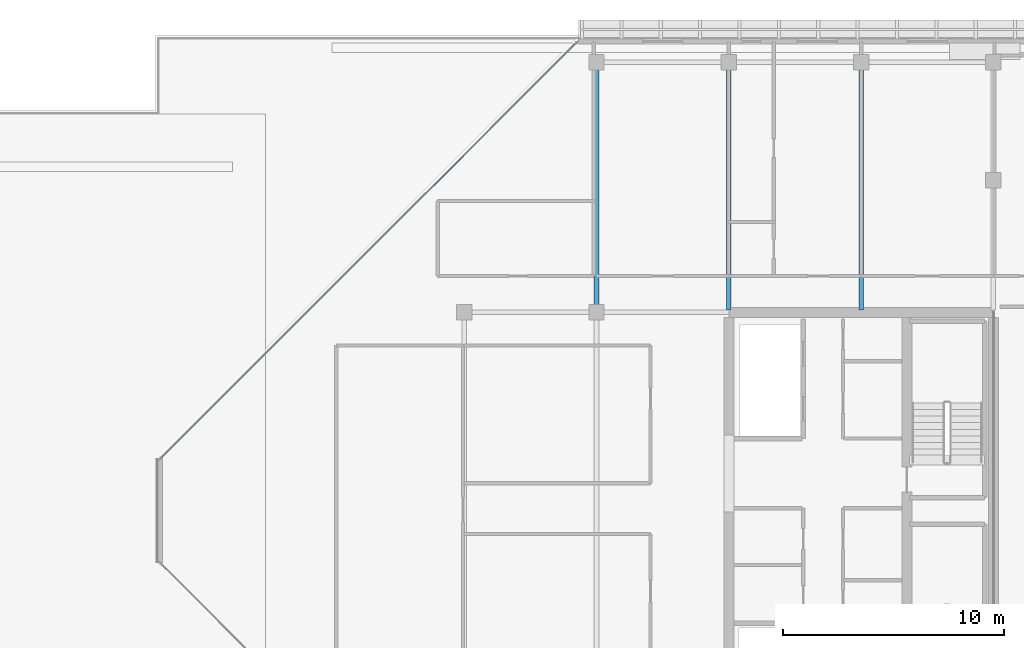
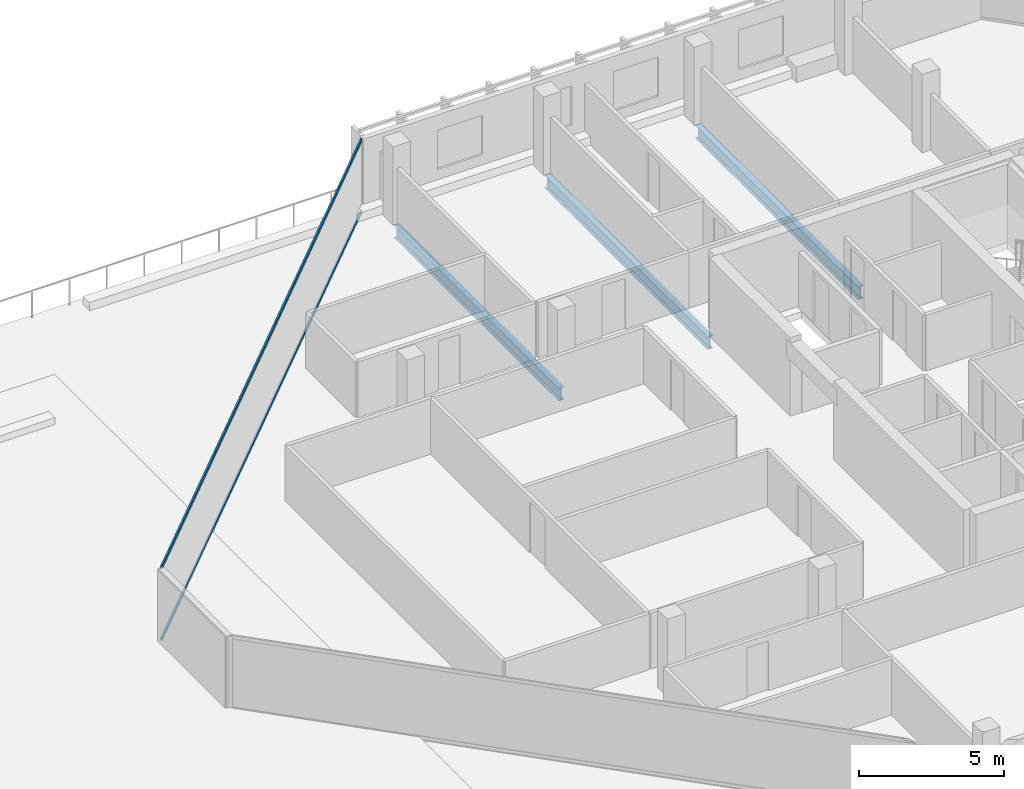
# One storey, part 13 of 30: 3 beams, 2 members, 1 element without a shape of its own.
"""IFC4 building model written with IfcOpenShell, lengths in metres."""

from ifc_helpers import new_model, si_unit, direction, frame, origin, origin_2d, place, context, subcontext, project, spatial, hollow_rectangle, i_section, extrude, material, layer, layer_set, material_profile, profile_set, type_object, element, aggregate, save


model = new_model("IFC4")

# Units and contexts
model_context = context("Model", 3, precision=1e-05, world=origin(), true_north=direction((0.0, 1.0)))
body_context = subcontext(model_context, "Body", "Model", "MODEL_VIEW")
ifc_project = project(units=[si_unit("LENGTHUNIT", "METRE"), si_unit("AREAUNIT", "SQUARE_METRE"), si_unit("VOLUMEUNIT", "CUBIC_METRE"), si_unit("PLANEANGLEUNIT", "RADIAN"), si_unit("MASSUNIT", "GRAM", prefix="KILO")], contexts=[model_context])

# Site, building, storey
site_placement = place(None, origin())
site = spatial("IfcSite", under=ifc_project, at=site_placement, CompositionType="ELEMENT")
building_placement = place(site_placement, origin())
building = spatial("IfcBuilding", under=site, at=building_placement, Name="Tanjung Sevakor Pilgrim Tower", CompositionType="ELEMENT")
storey_placement = place(building_placement, frame((0.0, 0.0, 229.35009765625)))
storey = spatial("IfcBuildingStorey", under=building, at=storey_placement, Name="L64", CompositionType="ELEMENT", Elevation=229.35009765625)

# Beams
ifc_material_1 = material(Name="Steel S355J2", Category="steel")
ifc_material_profile_1 = material_profile(ifc_material_1, i_section(OverallWidth=0.210693359375, OverallDepth=0.53955078125, WebThickness=0.01171875, FlangeThickness=0.018798828125, FilletRadius=0.0126953125, at=origin_2d()))
ifc_profile_set_1 = profile_set([ifc_material_profile_1], Name="Steel S355J2")
beam_type = type_object("IfcBeamType", Name="BM-B-G6-UB_533x210x109", PredefinedType="BEAM", material=ifc_profile_set_1)
beam_placement = place(storey_placement, frame((72.0, 42.60009765625, -0.5498046875), z_axis=(0.0, 1.0, 0.0), x_axis=(-1.0, 0.0, 0.0)))
element("IfcBeam", 1, at=beam_placement, inside=storey, type_object=beam_type, Name="L64 EAST Girder 004", PredefinedType="BEAM", context=body_context, shape_type="SweptSolid", body=[
    extrude(i_section(OverallWidth=0.210693359375, OverallDepth=0.53955078125, WebThickness=0.01171875, FlangeThickness=0.018798828125, FilletRadius=0.0126953125, at=origin_2d()), origin(), (0.0, 0.0, 1.0), 11.349853515625),
])
for number, where, z_axis, x_axis, name in (
    (2, (78.0, 42.7060546875, -0.5498046875), (0.0, 1.0, 0.0), (-1.0, 0.0, 0.0), "L64 EAST Girder 006"),
    (3, (84.0, 42.7060546875, -0.5498046875), (0.0, 1.0, 0.0), (-1.0, 0.0, 0.0), "L64 EAST Girder 008"),
):
    element("IfcBeam", number, at=place(storey_placement, frame(where, z_axis=z_axis, x_axis=x_axis)), inside=storey, type_object=beam_type, Name=name, PredefinedType="BEAM", context=body_context, shape_type="SweptSolid", body=[
        extrude(i_section(OverallWidth=0.210693359375, OverallDepth=0.53955078125, WebThickness=0.01171875, FlangeThickness=0.018798828125, FilletRadius=0.0126953125, at=origin_2d()), origin(), (0.0, 0.0, 1.0), 11.243896484375),
    ])

# Curtain wall, members
ifc_material_2 = material(Name="Aluminium 6063-T6 and Low-E Glass", Category="aluminium")
ifc_layer = layer(ifc_material_2, 0.179931640625)
ifc_layer_set = layer_set([ifc_layer], Name="CW-SYS-CHAM")
curtain_wall_type = type_object("IfcCurtainWallType", Name="CW-SYS-CHAM", PredefinedType="NOTDEFINED", material=ifc_layer_set)
curtain_wall_placement = place(storey_placement, origin())
curtain_wall = element("IfcCurtainWall", 4, at=curtain_wall_placement, inside=storey, type_object=curtain_wall_type, Name="L64 Curtain Wall CW-CHM-L64-EAST-5", PredefinedType="NOTDEFINED")
ifc_material_3 = material(Name="Aluminium 6063-T6", Category="aluminium")
ifc_material_profile_2 = material_profile(ifc_material_3, hollow_rectangle(XDim=0.06494140625, YDim=0.139892578125, WallThickness=0.00390625, at=origin_2d()))
ifc_profile_set_2 = profile_set([ifc_material_profile_2], Name="Aluminium 6063-T6")
member_type = type_object("IfcMemberType", Name="TYPE-CWT-1", PredefinedType="USERDEFINED", material=ifc_profile_set_2)
member_1_placement = place(storey_placement, frame((71.099609375, 54.843994140625, 0.032470703125), z_axis=(-0.707106781187, -0.707106781187, 0.0), x_axis=(0.707106781187, -0.707106781187, 0.0)))
member_1 = element("IfcMember", 5, at=member_1_placement, type_object=member_type, Name="CW-CHM transom 1.1", ObjectType="TRANSOM", PredefinedType="USERDEFINED", context=body_context, shape_type="SweptSolid", body=[
    extrude(hollow_rectangle(XDim=0.06494140625, YDim=0.139892578125, WallThickness=0.00390625, at=origin_2d()), origin(), (0.0, 0.0, 1.0), 26.649169921875),
])
member_2_placement = place(storey_placement, frame((71.099609375, 54.843994140625, 3.04736328125), z_axis=(-0.707106781187, -0.707106781187, 0.0), x_axis=(0.707106781187, -0.707106781187, 0.0)))
member_2 = element("IfcMember", 6, at=member_2_placement, type_object=member_type, Name="CW-CHM transom 1.2", ObjectType="TRANSOM", PredefinedType="USERDEFINED", context=body_context, shape_type="SweptSolid", body=[
    extrude(hollow_rectangle(XDim=0.06494140625, YDim=0.139892578125, WallThickness=0.00390625, at=origin_2d()), origin(), (0.0, 0.0, 1.0), 26.649169921875),
])
aggregate(curtain_wall, [member_1, member_2])

save(model, "model.ifc")
